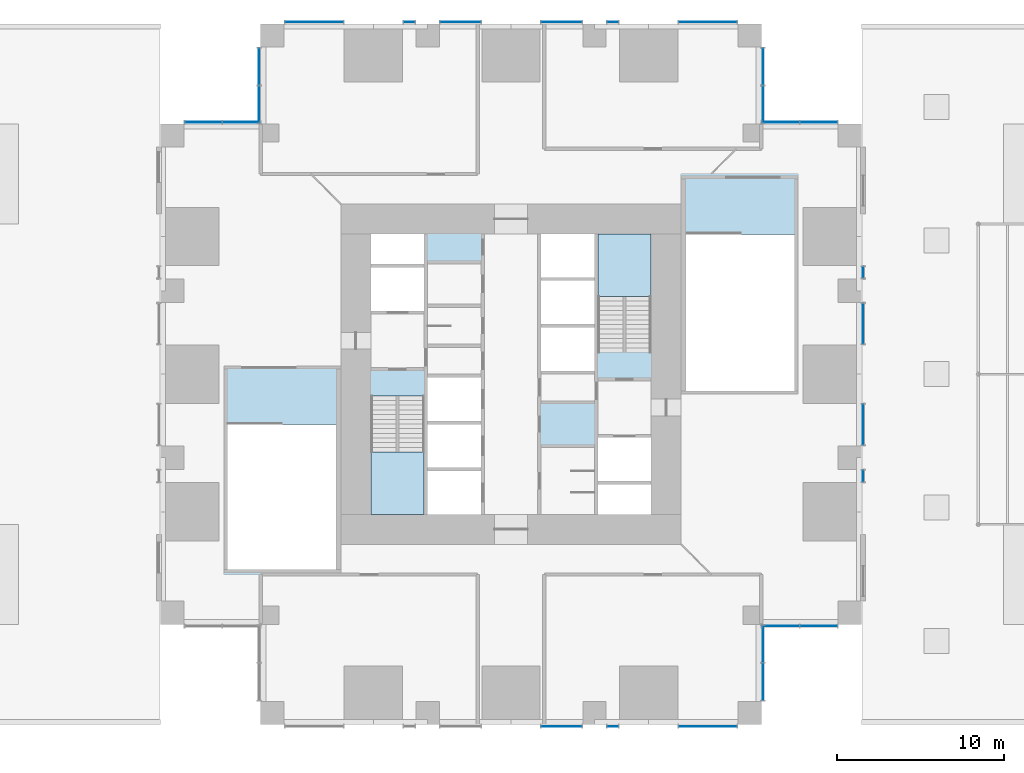
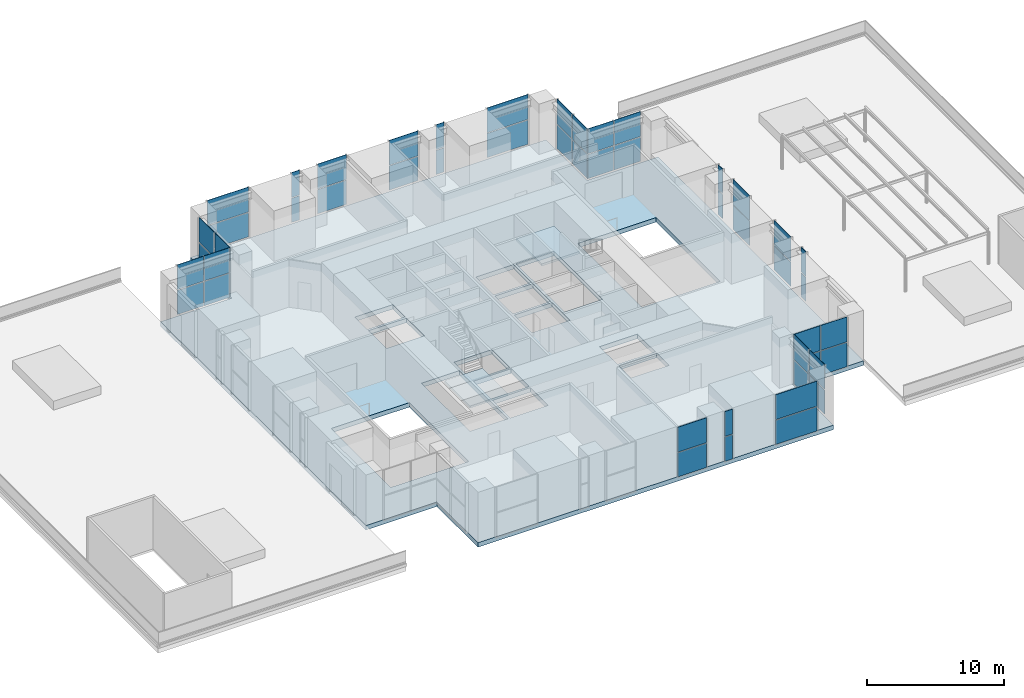
# One storey, part 8 of 14: 50 plates, 3 slabs, 21 elements without a shape of their own.
"""IFC4 building model written with IfcOpenShell, lengths in metres."""

from ifc_helpers import new_model, si_unit, direction, frame, origin, origin_2d, place, context, subcontext, project, spatial, polyline, rectangle, outline, extrude, material, layer, layer_set, type_object, element, aggregate, save


model = new_model("IFC4")

# Units and contexts
model_context = context("Model", 3, precision=1e-05, world=origin(), true_north=direction((0.0, 1.0)))
body_context = subcontext(model_context, "Body", "Model", "MODEL_VIEW")
ifc_project = project(units=[si_unit("LENGTHUNIT", "METRE"), si_unit("AREAUNIT", "SQUARE_METRE"), si_unit("VOLUMEUNIT", "CUBIC_METRE"), si_unit("PLANEANGLEUNIT", "RADIAN"), si_unit("MASSUNIT", "GRAM", prefix="KILO")], contexts=[model_context])

# Site, building, storey
site_placement = place(None, origin())
site = spatial("IfcSite", under=ifc_project, at=site_placement, CompositionType="ELEMENT")
building_placement = place(site_placement, origin())
building = spatial("IfcBuilding", under=site, at=building_placement, Name="Svetlomir Tower", CompositionType="ELEMENT")
storey_placement = place(building_placement, frame((0.0, 0.0, 18.0)))
storey = spatial("IfcBuildingStorey", under=building, at=storey_placement, Name="L03", CompositionType="ELEMENT", Elevation=18.0)

# Curtain wall, plates
ifc_material_1 = material(Name="Bronze anodised aluminium curtain wall", Category="aluminium")
curtain_wall_type = type_object("IfcCurtainWallType", Name="CURTAIN WALL CW2 SKY LOBBY", PredefinedType="NOTDEFINED", material=ifc_material_1)
curtain_wall_1_placement = place(storey_placement, origin())
curtain_wall_1 = element("IfcCurtainWall", 1, at=curtain_wall_1_placement, inside=storey, type_object=curtain_wall_type, Name="Curtain wall CW2 L03", PredefinedType="NOTDEFINED")
ifc_material_2 = material(Name="Tinted double glazed unit", Category="glass")
ifc_layer_1 = layer(ifc_material_2, 0.035888671875)
ifc_layer_set_1 = layer_set([ifc_layer_1], Name="Tinted double glazed unit")
plate_type = type_object("IfcPlateType", Name="CW2 GLAZED PANEL 36", PredefinedType="CURTAIN_PANEL", material=ifc_layer_set_1)
plate_1_placement = place(storey_placement, frame((24.02490234375, -0.10009765625, 0.06494140625), z_axis=(0.0, 0.0, 1.0), x_axis=(1.0, 0.0, 0.0)))
plate_1 = element("IfcPlate", 2, at=plate_1_placement, type_object=plate_type, Name="CW2 panel 1.1", PredefinedType="CURTAIN_PANEL", context=body_context, shape_type="SweptSolid", body=[
    extrude(rectangle(XDim=2.419921875, YDim=0.035888671875, at=origin_2d()), origin(), (0.0, 0.0, 1.0), 2.152587890625),
])
plate_2_placement = place(storey_placement, frame((24.02490234375, -0.10009765625, 2.28271484375), z_axis=(0.0, 0.0, 1.0), x_axis=(1.0, 0.0, 0.0)))
plate_2 = element("IfcPlate", 3, at=plate_2_placement, type_object=plate_type, Name="CW2 panel 1.2", PredefinedType="CURTAIN_PANEL", context=body_context, shape_type="SweptSolid", body=[
    extrude(rectangle(XDim=2.419921875, YDim=0.035888671875, at=origin_2d()), origin(), (0.0, 0.0, 1.0), 2.217529296875),
])
aggregate(curtain_wall_1, [plate_1, plate_2])

curtain_wall_2_placement = place(storey_placement, origin())
curtain_wall_2 = element("IfcCurtainWall", 4, at=curtain_wall_2_placement, inside=storey, type_object=curtain_wall_type, Name="Curtain wall CW2 L03", PredefinedType="NOTDEFINED")
plate_3_placement = place(storey_placement, frame((27.10009765625, -0.10009765625, 0.06494140625), z_axis=(0.0, 0.0, 1.0), x_axis=(1.0, 0.0, 0.0)))
plate_3 = element("IfcPlate", 5, at=plate_3_placement, type_object=plate_type, Name="CW2 panel 1.1", PredefinedType="CURTAIN_PANEL", context=body_context, shape_type="SweptSolid", body=[
    extrude(rectangle(XDim=0.669921875, YDim=0.035888671875, at=origin_2d()), origin(), (0.0, 0.0, 1.0), 2.152587890625),
])
plate_4_placement = place(storey_placement, frame((27.10009765625, -0.10009765625, 2.28271484375), z_axis=(0.0, 0.0, 1.0), x_axis=(1.0, 0.0, 0.0)))
plate_4 = element("IfcPlate", 6, at=plate_4_placement, type_object=plate_type, Name="CW2 panel 1.2", PredefinedType="CURTAIN_PANEL", context=body_context, shape_type="SweptSolid", body=[
    extrude(rectangle(XDim=0.669921875, YDim=0.035888671875, at=origin_2d()), origin(), (0.0, 0.0, 1.0), 2.217529296875),
])
aggregate(curtain_wall_2, [plate_3, plate_4])

curtain_wall_3_placement = place(storey_placement, origin())
curtain_wall_3 = element("IfcCurtainWall", 7, at=curtain_wall_3_placement, inside=storey, type_object=curtain_wall_type, Name="Curtain wall CW2 L03", PredefinedType="NOTDEFINED")
plate_5_placement = place(storey_placement, frame((32.800048828125, -0.10009765625, 0.06494140625), z_axis=(0.0, 0.0, 1.0), x_axis=(1.0, 0.0, 0.0)))
plate_5 = element("IfcPlate", 8, at=plate_5_placement, type_object=plate_type, Name="CW2 panel 1.1", PredefinedType="CURTAIN_PANEL", context=body_context, shape_type="SweptSolid", body=[
    extrude(rectangle(XDim=3.469970703125, YDim=0.035888671875, at=origin_2d()), origin(), (0.0, 0.0, 1.0), 2.152587890625),
])
plate_6_placement = place(storey_placement, frame((32.800048828125, -0.10009765625, 2.28271484375), z_axis=(0.0, 0.0, 1.0), x_axis=(1.0, 0.0, 0.0)))
plate_6 = element("IfcPlate", 9, at=plate_6_placement, type_object=plate_type, Name="CW2 panel 1.2", PredefinedType="CURTAIN_PANEL", context=body_context, shape_type="SweptSolid", body=[
    extrude(rectangle(XDim=3.469970703125, YDim=0.035888671875, at=origin_2d()), origin(), (0.0, 0.0, 1.0), 2.217529296875),
])
aggregate(curtain_wall_3, [plate_5, plate_6])

curtain_wall_4_placement = place(storey_placement, origin())
curtain_wall_4 = element("IfcCurtainWall", 10, at=curtain_wall_4_placement, inside=storey, type_object=curtain_wall_type, Name="Curtain wall CW2 L03", PredefinedType="NOTDEFINED")
plate_7_placement = place(storey_placement, frame((36.10009765625, 2.566162109375, 0.06494140625), z_axis=(0.0, 0.0, 1.0), x_axis=(0.0, 1.0, 0.0)))
plate_7 = element("IfcPlate", 11, at=plate_7_placement, type_object=plate_type, Name="CW2 panel 1.1", PredefinedType="CURTAIN_PANEL", context=body_context, shape_type="SweptSolid", body=[
    extrude(rectangle(XDim=2.202392578125, YDim=0.035888671875, at=origin_2d()), origin(), (0.0, 0.0, 1.0), 2.152587890625),
])
plate_8_placement = place(storey_placement, frame((36.10009765625, 2.566162109375, 2.28271484375), z_axis=(0.0, 0.0, 1.0), x_axis=(0.0, 1.0, 0.0)))
plate_8 = element("IfcPlate", 12, at=plate_8_placement, type_object=plate_type, Name="CW2 panel 1.2", PredefinedType="CURTAIN_PANEL", context=body_context, shape_type="SweptSolid", body=[
    extrude(rectangle(XDim=2.202392578125, YDim=0.035888671875, at=origin_2d()), origin(), (0.0, 0.0, 1.0), 2.217529296875),
])
plate_9_placement = place(storey_placement, frame((36.10009765625, 4.833740234375, 0.06494140625), z_axis=(0.0, 0.0, 1.0), x_axis=(0.0, 1.0, 0.0)))
plate_9 = element("IfcPlate", 13, at=plate_9_placement, type_object=plate_type, Name="CW2 panel 2.1", PredefinedType="CURTAIN_PANEL", context=body_context, shape_type="SweptSolid", body=[
    extrude(rectangle(XDim=2.202392578125, YDim=0.035888671875, at=origin_2d()), origin(), (0.0, 0.0, 1.0), 2.152587890625),
])
plate_10_placement = place(storey_placement, frame((36.10009765625, 4.833740234375, 2.28271484375), z_axis=(0.0, 0.0, 1.0), x_axis=(0.0, 1.0, 0.0)))
plate_10 = element("IfcPlate", 14, at=plate_10_placement, type_object=plate_type, Name="CW2 panel 2.2", PredefinedType="CURTAIN_PANEL", context=body_context, shape_type="SweptSolid", body=[
    extrude(rectangle(XDim=2.202392578125, YDim=0.035888671875, at=origin_2d()), origin(), (0.0, 0.0, 1.0), 2.217529296875),
])
aggregate(curtain_wall_4, [plate_7, plate_8, plate_9, plate_10])

curtain_wall_5_placement = place(storey_placement, origin())
curtain_wall_5 = element("IfcCurtainWall", 15, at=curtain_wall_5_placement, inside=storey, type_object=curtain_wall_type, Name="Curtain wall CW2 L03", PredefinedType="NOTDEFINED")
plate_11_placement = place(storey_placement, frame((37.166259765625, 5.89990234375, 0.06494140625), z_axis=(0.0, 0.0, 1.0), x_axis=(1.0, 0.0, 0.0)))
plate_11 = element("IfcPlate", 16, at=plate_11_placement, type_object=plate_type, Name="CW2 panel 1.1", PredefinedType="CURTAIN_PANEL", context=body_context, shape_type="SweptSolid", body=[
    extrude(rectangle(XDim=2.202392578125, YDim=0.035888671875, at=origin_2d()), origin(), (0.0, 0.0, 1.0), 2.152587890625),
])
plate_12_placement = place(storey_placement, frame((37.166259765625, 5.89990234375, 2.28271484375), z_axis=(0.0, 0.0, 1.0), x_axis=(1.0, 0.0, 0.0)))
plate_12 = element("IfcPlate", 17, at=plate_12_placement, type_object=plate_type, Name="CW2 panel 1.2", PredefinedType="CURTAIN_PANEL", context=body_context, shape_type="SweptSolid", body=[
    extrude(rectangle(XDim=2.202392578125, YDim=0.035888671875, at=origin_2d()), origin(), (0.0, 0.0, 1.0), 2.217529296875),
])
plate_13_placement = place(storey_placement, frame((39.433837890625, 5.89990234375, 0.06494140625), z_axis=(0.0, 0.0, 1.0), x_axis=(1.0, 0.0, 0.0)))
plate_13 = element("IfcPlate", 18, at=plate_13_placement, type_object=plate_type, Name="CW2 panel 2.1", PredefinedType="CURTAIN_PANEL", context=body_context, shape_type="SweptSolid", body=[
    extrude(rectangle(XDim=2.202392578125, YDim=0.035888671875, at=origin_2d()), origin(), (0.0, 0.0, 1.0), 2.152587890625),
])
plate_14_placement = place(storey_placement, frame((39.433837890625, 5.89990234375, 2.28271484375), z_axis=(0.0, 0.0, 1.0), x_axis=(1.0, 0.0, 0.0)))
plate_14 = element("IfcPlate", 19, at=plate_14_placement, type_object=plate_type, Name="CW2 panel 2.2", PredefinedType="CURTAIN_PANEL", context=body_context, shape_type="SweptSolid", body=[
    extrude(rectangle(XDim=2.202392578125, YDim=0.035888671875, at=origin_2d()), origin(), (0.0, 0.0, 1.0), 2.217529296875),
])
aggregate(curtain_wall_5, [plate_11, plate_12, plate_13, plate_14])

curtain_wall_6_placement = place(storey_placement, origin())
curtain_wall_6 = element("IfcCurtainWall", 20, at=curtain_wall_6_placement, inside=storey, type_object=curtain_wall_type, Name="Curtain wall CW2 L03", PredefinedType="NOTDEFINED")
plate_15_placement = place(storey_placement, frame((42.10009765625, 14.89990234375, 0.06494140625), z_axis=(0.0, 0.0, 1.0), x_axis=(0.0, 1.0, 0.0)))
plate_15 = element("IfcPlate", 21, at=plate_15_placement, type_object=plate_type, Name="CW2 panel 1.1", PredefinedType="CURTAIN_PANEL", context=body_context, shape_type="SweptSolid", body=[
    extrude(rectangle(XDim=0.669921875, YDim=0.035888671875, at=origin_2d()), origin(), (0.0, 0.0, 1.0), 2.152587890625),
])
plate_16_placement = place(storey_placement, frame((42.10009765625, 14.89990234375, 2.28271484375), z_axis=(0.0, 0.0, 1.0), x_axis=(0.0, 1.0, 0.0)))
plate_16 = element("IfcPlate", 22, at=plate_16_placement, type_object=plate_type, Name="CW2 panel 1.2", PredefinedType="CURTAIN_PANEL", context=body_context, shape_type="SweptSolid", body=[
    extrude(rectangle(XDim=0.669921875, YDim=0.035888671875, at=origin_2d()), origin(), (0.0, 0.0, 1.0), 2.217529296875),
])
aggregate(curtain_wall_6, [plate_15, plate_16])

curtain_wall_7_placement = place(storey_placement, origin())
curtain_wall_7 = element("IfcCurtainWall", 23, at=curtain_wall_7_placement, inside=storey, type_object=curtain_wall_type, Name="Curtain wall CW2 L03", PredefinedType="NOTDEFINED")
plate_17_placement = place(storey_placement, frame((42.10009765625, 17.97509765625, 0.06494140625), z_axis=(0.0, 0.0, 1.0), x_axis=(0.0, 1.0, 0.0)))
plate_17 = element("IfcPlate", 24, at=plate_17_placement, type_object=plate_type, Name="CW2 panel 1.1", PredefinedType="CURTAIN_PANEL", context=body_context, shape_type="SweptSolid", body=[
    extrude(rectangle(XDim=2.419921875, YDim=0.035888671875, at=origin_2d()), origin(), (0.0, 0.0, 1.0), 2.152587890625),
])
plate_18_placement = place(storey_placement, frame((42.10009765625, 17.97509765625, 2.28271484375), z_axis=(0.0, 0.0, 1.0), x_axis=(0.0, 1.0, 0.0)))
plate_18 = element("IfcPlate", 25, at=plate_18_placement, type_object=plate_type, Name="CW2 panel 1.2", PredefinedType="CURTAIN_PANEL", context=body_context, shape_type="SweptSolid", body=[
    extrude(rectangle(XDim=2.419921875, YDim=0.035888671875, at=origin_2d()), origin(), (0.0, 0.0, 1.0), 2.217529296875),
])
aggregate(curtain_wall_7, [plate_17, plate_18])

curtain_wall_8_placement = place(storey_placement, origin())
curtain_wall_8 = element("IfcCurtainWall", 26, at=curtain_wall_8_placement, inside=storey, type_object=curtain_wall_type, Name="Curtain wall CW2 L03", PredefinedType="NOTDEFINED")
plate_19_placement = place(storey_placement, frame((42.10009765625, 24.02490234375, 0.06494140625), z_axis=(0.0, 0.0, 1.0), x_axis=(0.0, 1.0, 0.0)))
plate_19 = element("IfcPlate", 27, at=plate_19_placement, type_object=plate_type, Name="CW2 panel 1.1", PredefinedType="CURTAIN_PANEL", context=body_context, shape_type="SweptSolid", body=[
    extrude(rectangle(XDim=2.419921875, YDim=0.035888671875, at=origin_2d()), origin(), (0.0, 0.0, 1.0), 2.152587890625),
])
plate_20_placement = place(storey_placement, frame((42.10009765625, 24.02490234375, 2.28271484375), z_axis=(0.0, 0.0, 1.0), x_axis=(0.0, 1.0, 0.0)))
plate_20 = element("IfcPlate", 28, at=plate_20_placement, type_object=plate_type, Name="CW2 panel 1.2", PredefinedType="CURTAIN_PANEL", context=body_context, shape_type="SweptSolid", body=[
    extrude(rectangle(XDim=2.419921875, YDim=0.035888671875, at=origin_2d()), origin(), (0.0, 0.0, 1.0), 2.217529296875),
])
aggregate(curtain_wall_8, [plate_19, plate_20])

curtain_wall_9_placement = place(storey_placement, origin())
curtain_wall_9 = element("IfcCurtainWall", 29, at=curtain_wall_9_placement, inside=storey, type_object=curtain_wall_type, Name="Curtain wall CW2 L03", PredefinedType="NOTDEFINED")
plate_21_placement = place(storey_placement, frame((42.10009765625, 27.10009765625, 0.06494140625), z_axis=(0.0, 0.0, 1.0), x_axis=(0.0, 1.0, 0.0)))
plate_21 = element("IfcPlate", 30, at=plate_21_placement, type_object=plate_type, Name="CW2 panel 1.1", PredefinedType="CURTAIN_PANEL", context=body_context, shape_type="SweptSolid", body=[
    extrude(rectangle(XDim=0.669921875, YDim=0.035888671875, at=origin_2d()), origin(), (0.0, 0.0, 1.0), 2.152587890625),
])
plate_22_placement = place(storey_placement, frame((42.10009765625, 27.10009765625, 2.28271484375), z_axis=(0.0, 0.0, 1.0), x_axis=(0.0, 1.0, 0.0)))
plate_22 = element("IfcPlate", 31, at=plate_22_placement, type_object=plate_type, Name="CW2 panel 1.2", PredefinedType="CURTAIN_PANEL", context=body_context, shape_type="SweptSolid", body=[
    extrude(rectangle(XDim=0.669921875, YDim=0.035888671875, at=origin_2d()), origin(), (0.0, 0.0, 1.0), 2.217529296875),
])
aggregate(curtain_wall_9, [plate_21, plate_22])

curtain_wall_10_placement = place(storey_placement, origin())
curtain_wall_10 = element("IfcCurtainWall", 32, at=curtain_wall_10_placement, inside=storey, type_object=curtain_wall_type, Name="Curtain wall CW2 L03", PredefinedType="NOTDEFINED")
plate_23_placement = place(storey_placement, frame((39.433837890625, 36.10009765625, 0.06494140625), z_axis=(0.0, 0.0, 1.0), x_axis=(-1.0, 0.0, 0.0)))
plate_23 = element("IfcPlate", 33, at=plate_23_placement, type_object=plate_type, Name="CW2 panel 1.1", PredefinedType="CURTAIN_PANEL", context=body_context, shape_type="SweptSolid", body=[
    extrude(rectangle(XDim=2.202392578125, YDim=0.035888671875, at=origin_2d()), origin(), (0.0, 0.0, 1.0), 2.152587890625),
])
plate_24_placement = place(storey_placement, frame((39.433837890625, 36.10009765625, 2.28271484375), z_axis=(0.0, 0.0, 1.0), x_axis=(-1.0, 0.0, 0.0)))
plate_24 = element("IfcPlate", 34, at=plate_24_placement, type_object=plate_type, Name="CW2 panel 1.2", PredefinedType="CURTAIN_PANEL", context=body_context, shape_type="SweptSolid", body=[
    extrude(rectangle(XDim=2.202392578125, YDim=0.035888671875, at=origin_2d()), origin(), (0.0, 0.0, 1.0), 2.217529296875),
])
plate_25_placement = place(storey_placement, frame((37.166259765625, 36.10009765625, 0.06494140625), z_axis=(0.0, 0.0, 1.0), x_axis=(-1.0, 0.0, 0.0)))
plate_25 = element("IfcPlate", 35, at=plate_25_placement, type_object=plate_type, Name="CW2 panel 2.1", PredefinedType="CURTAIN_PANEL", context=body_context, shape_type="SweptSolid", body=[
    extrude(rectangle(XDim=2.202392578125, YDim=0.035888671875, at=origin_2d()), origin(), (0.0, 0.0, 1.0), 2.152587890625),
])
plate_26_placement = place(storey_placement, frame((37.166259765625, 36.10009765625, 2.28271484375), z_axis=(0.0, 0.0, 1.0), x_axis=(-1.0, 0.0, 0.0)))
plate_26 = element("IfcPlate", 36, at=plate_26_placement, type_object=plate_type, Name="CW2 panel 2.2", PredefinedType="CURTAIN_PANEL", context=body_context, shape_type="SweptSolid", body=[
    extrude(rectangle(XDim=2.202392578125, YDim=0.035888671875, at=origin_2d()), origin(), (0.0, 0.0, 1.0), 2.217529296875),
])
aggregate(curtain_wall_10, [plate_23, plate_24, plate_25, plate_26])

curtain_wall_11_placement = place(storey_placement, origin())
curtain_wall_11 = element("IfcCurtainWall", 37, at=curtain_wall_11_placement, inside=storey, type_object=curtain_wall_type, Name="Curtain wall CW2 L03", PredefinedType="NOTDEFINED")
plate_27_placement = place(storey_placement, frame((36.10009765625, 37.166259765625, 0.06494140625), z_axis=(0.0, 0.0, 1.0), x_axis=(0.0, 1.0, 0.0)))
plate_27 = element("IfcPlate", 38, at=plate_27_placement, type_object=plate_type, Name="CW2 panel 1.1", PredefinedType="CURTAIN_PANEL", context=body_context, shape_type="SweptSolid", body=[
    extrude(rectangle(XDim=2.202392578125, YDim=0.035888671875, at=origin_2d()), origin(), (0.0, 0.0, 1.0), 2.152587890625),
])
plate_28_placement = place(storey_placement, frame((36.10009765625, 37.166259765625, 2.28271484375), z_axis=(0.0, 0.0, 1.0), x_axis=(0.0, 1.0, 0.0)))
plate_28 = element("IfcPlate", 39, at=plate_28_placement, type_object=plate_type, Name="CW2 panel 1.2", PredefinedType="CURTAIN_PANEL", context=body_context, shape_type="SweptSolid", body=[
    extrude(rectangle(XDim=2.202392578125, YDim=0.035888671875, at=origin_2d()), origin(), (0.0, 0.0, 1.0), 2.217529296875),
])
plate_29_placement = place(storey_placement, frame((36.10009765625, 39.433837890625, 0.06494140625), z_axis=(0.0, 0.0, 1.0), x_axis=(0.0, 1.0, 0.0)))
plate_29 = element("IfcPlate", 40, at=plate_29_placement, type_object=plate_type, Name="CW2 panel 2.1", PredefinedType="CURTAIN_PANEL", context=body_context, shape_type="SweptSolid", body=[
    extrude(rectangle(XDim=2.202392578125, YDim=0.035888671875, at=origin_2d()), origin(), (0.0, 0.0, 1.0), 2.152587890625),
])
plate_30_placement = place(storey_placement, frame((36.10009765625, 39.433837890625, 2.28271484375), z_axis=(0.0, 0.0, 1.0), x_axis=(0.0, 1.0, 0.0)))
plate_30 = element("IfcPlate", 41, at=plate_30_placement, type_object=plate_type, Name="CW2 panel 2.2", PredefinedType="CURTAIN_PANEL", context=body_context, shape_type="SweptSolid", body=[
    extrude(rectangle(XDim=2.202392578125, YDim=0.035888671875, at=origin_2d()), origin(), (0.0, 0.0, 1.0), 2.217529296875),
])
aggregate(curtain_wall_11, [plate_27, plate_28, plate_29, plate_30])

curtain_wall_12_placement = place(storey_placement, origin())
curtain_wall_12 = element("IfcCurtainWall", 42, at=curtain_wall_12_placement, inside=storey, type_object=curtain_wall_type, Name="Curtain wall CW2 L03", PredefinedType="NOTDEFINED")
plate_31_placement = place(storey_placement, frame((32.800048828125, 42.10009765625, 0.06494140625), z_axis=(0.0, 0.0, 1.0), x_axis=(-1.0, 0.0, 0.0)))
plate_31 = element("IfcPlate", 43, at=plate_31_placement, type_object=plate_type, Name="CW2 panel 1.1", PredefinedType="CURTAIN_PANEL", context=body_context, shape_type="SweptSolid", body=[
    extrude(rectangle(XDim=3.469970703125, YDim=0.035888671875, at=origin_2d()), origin(), (0.0, 0.0, 1.0), 2.152587890625),
])
plate_32_placement = place(storey_placement, frame((32.800048828125, 42.10009765625, 2.28271484375), z_axis=(0.0, 0.0, 1.0), x_axis=(-1.0, 0.0, 0.0)))
plate_32 = element("IfcPlate", 44, at=plate_32_placement, type_object=plate_type, Name="CW2 panel 1.2", PredefinedType="CURTAIN_PANEL", context=body_context, shape_type="SweptSolid", body=[
    extrude(rectangle(XDim=3.469970703125, YDim=0.035888671875, at=origin_2d()), origin(), (0.0, 0.0, 1.0), 2.217529296875),
])
aggregate(curtain_wall_12, [plate_31, plate_32])

curtain_wall_13_placement = place(storey_placement, origin())
curtain_wall_13 = element("IfcCurtainWall", 45, at=curtain_wall_13_placement, inside=storey, type_object=curtain_wall_type, Name="Curtain wall CW2 L03", PredefinedType="NOTDEFINED")
plate_33_placement = place(storey_placement, frame((27.10009765625, 42.10009765625, 0.06494140625), z_axis=(0.0, 0.0, 1.0), x_axis=(-1.0, 0.0, 0.0)))
plate_33 = element("IfcPlate", 46, at=plate_33_placement, type_object=plate_type, Name="CW2 panel 1.1", PredefinedType="CURTAIN_PANEL", context=body_context, shape_type="SweptSolid", body=[
    extrude(rectangle(XDim=0.669921875, YDim=0.035888671875, at=origin_2d()), origin(), (0.0, 0.0, 1.0), 2.152587890625),
])
plate_34_placement = place(storey_placement, frame((27.10009765625, 42.10009765625, 2.28271484375), z_axis=(0.0, 0.0, 1.0), x_axis=(-1.0, 0.0, 0.0)))
plate_34 = element("IfcPlate", 47, at=plate_34_placement, type_object=plate_type, Name="CW2 panel 1.2", PredefinedType="CURTAIN_PANEL", context=body_context, shape_type="SweptSolid", body=[
    extrude(rectangle(XDim=0.669921875, YDim=0.035888671875, at=origin_2d()), origin(), (0.0, 0.0, 1.0), 2.217529296875),
])
aggregate(curtain_wall_13, [plate_33, plate_34])

curtain_wall_14_placement = place(storey_placement, origin())
curtain_wall_14 = element("IfcCurtainWall", 48, at=curtain_wall_14_placement, inside=storey, type_object=curtain_wall_type, Name="Curtain wall CW2 L03", PredefinedType="NOTDEFINED")
plate_35_placement = place(storey_placement, frame((24.02490234375, 42.10009765625, 0.06494140625), z_axis=(0.0, 0.0, 1.0), x_axis=(-1.0, 0.0, 0.0)))
plate_35 = element("IfcPlate", 49, at=plate_35_placement, type_object=plate_type, Name="CW2 panel 1.1", PredefinedType="CURTAIN_PANEL", context=body_context, shape_type="SweptSolid", body=[
    extrude(rectangle(XDim=2.419921875, YDim=0.035888671875, at=origin_2d()), origin(), (0.0, 0.0, 1.0), 2.152587890625),
])
plate_36_placement = place(storey_placement, frame((24.02490234375, 42.10009765625, 2.28271484375), z_axis=(0.0, 0.0, 1.0), x_axis=(-1.0, 0.0, 0.0)))
plate_36 = element("IfcPlate", 50, at=plate_36_placement, type_object=plate_type, Name="CW2 panel 1.2", PredefinedType="CURTAIN_PANEL", context=body_context, shape_type="SweptSolid", body=[
    extrude(rectangle(XDim=2.419921875, YDim=0.035888671875, at=origin_2d()), origin(), (0.0, 0.0, 1.0), 2.217529296875),
])
aggregate(curtain_wall_14, [plate_35, plate_36])

curtain_wall_15_placement = place(storey_placement, origin())
curtain_wall_15 = element("IfcCurtainWall", 51, at=curtain_wall_15_placement, inside=storey, type_object=curtain_wall_type, Name="Curtain wall CW2 L03", PredefinedType="NOTDEFINED")
plate_37_placement = place(storey_placement, frame((17.97509765625, 42.10009765625, 0.06494140625), z_axis=(0.0, 0.0, 1.0), x_axis=(-1.0, 0.0, 0.0)))
plate_37 = element("IfcPlate", 52, at=plate_37_placement, type_object=plate_type, Name="CW2 panel 1.1", PredefinedType="CURTAIN_PANEL", context=body_context, shape_type="SweptSolid", body=[
    extrude(rectangle(XDim=2.419921875, YDim=0.035888671875, at=origin_2d()), origin(), (0.0, 0.0, 1.0), 2.152587890625),
])
plate_38_placement = place(storey_placement, frame((17.97509765625, 42.10009765625, 2.28271484375), z_axis=(0.0, 0.0, 1.0), x_axis=(-1.0, 0.0, 0.0)))
plate_38 = element("IfcPlate", 53, at=plate_38_placement, type_object=plate_type, Name="CW2 panel 1.2", PredefinedType="CURTAIN_PANEL", context=body_context, shape_type="SweptSolid", body=[
    extrude(rectangle(XDim=2.419921875, YDim=0.035888671875, at=origin_2d()), origin(), (0.0, 0.0, 1.0), 2.217529296875),
])
aggregate(curtain_wall_15, [plate_37, plate_38])

curtain_wall_16_placement = place(storey_placement, origin())
curtain_wall_16 = element("IfcCurtainWall", 54, at=curtain_wall_16_placement, inside=storey, type_object=curtain_wall_type, Name="Curtain wall CW2 L03", PredefinedType="NOTDEFINED")
plate_39_placement = place(storey_placement, frame((14.89990234375, 42.10009765625, 0.06494140625), z_axis=(0.0, 0.0, 1.0), x_axis=(-1.0, 0.0, 0.0)))
plate_39 = element("IfcPlate", 55, at=plate_39_placement, type_object=plate_type, Name="CW2 panel 1.1", PredefinedType="CURTAIN_PANEL", context=body_context, shape_type="SweptSolid", body=[
    extrude(rectangle(XDim=0.669921875, YDim=0.035888671875, at=origin_2d()), origin(), (0.0, 0.0, 1.0), 2.152587890625),
])
plate_40_placement = place(storey_placement, frame((14.89990234375, 42.10009765625, 2.28271484375), z_axis=(0.0, 0.0, 1.0), x_axis=(-1.0, 0.0, 0.0)))
plate_40 = element("IfcPlate", 56, at=plate_40_placement, type_object=plate_type, Name="CW2 panel 1.2", PredefinedType="CURTAIN_PANEL", context=body_context, shape_type="SweptSolid", body=[
    extrude(rectangle(XDim=0.669921875, YDim=0.035888671875, at=origin_2d()), origin(), (0.0, 0.0, 1.0), 2.217529296875),
])
aggregate(curtain_wall_16, [plate_39, plate_40])

curtain_wall_17_placement = place(storey_placement, origin())
curtain_wall_17 = element("IfcCurtainWall", 57, at=curtain_wall_17_placement, inside=storey, type_object=curtain_wall_type, Name="Curtain wall CW2 L03", PredefinedType="NOTDEFINED")
plate_41_placement = place(storey_placement, frame((9.199951171875, 42.10009765625, 0.06494140625), z_axis=(0.0, 0.0, 1.0), x_axis=(-1.0, 0.0, 0.0)))
plate_41 = element("IfcPlate", 58, at=plate_41_placement, type_object=plate_type, Name="CW2 panel 1.1", PredefinedType="CURTAIN_PANEL", context=body_context, shape_type="SweptSolid", body=[
    extrude(rectangle(XDim=3.469970703125, YDim=0.035888671875, at=origin_2d()), origin(), (0.0, 0.0, 1.0), 2.152587890625),
])
plate_42_placement = place(storey_placement, frame((9.199951171875, 42.10009765625, 2.28271484375), z_axis=(0.0, 0.0, 1.0), x_axis=(-1.0, 0.0, 0.0)))
plate_42 = element("IfcPlate", 59, at=plate_42_placement, type_object=plate_type, Name="CW2 panel 1.2", PredefinedType="CURTAIN_PANEL", context=body_context, shape_type="SweptSolid", body=[
    extrude(rectangle(XDim=3.469970703125, YDim=0.035888671875, at=origin_2d()), origin(), (0.0, 0.0, 1.0), 2.217529296875),
])
aggregate(curtain_wall_17, [plate_41, plate_42])

curtain_wall_18_placement = place(storey_placement, origin())
curtain_wall_18 = element("IfcCurtainWall", 60, at=curtain_wall_18_placement, inside=storey, type_object=curtain_wall_type, Name="Curtain wall CW2 L03", PredefinedType="NOTDEFINED")
plate_43_placement = place(storey_placement, frame((5.89990234375, 39.433837890625, 0.06494140625), z_axis=(0.0, 0.0, 1.0), x_axis=(0.0, -1.0, 0.0)))
plate_43 = element("IfcPlate", 61, at=plate_43_placement, type_object=plate_type, Name="CW2 panel 1.1", PredefinedType="CURTAIN_PANEL", context=body_context, shape_type="SweptSolid", body=[
    extrude(rectangle(XDim=2.202392578125, YDim=0.035888671875, at=origin_2d()), origin(), (0.0, 0.0, 1.0), 2.152587890625),
])
plate_44_placement = place(storey_placement, frame((5.89990234375, 39.433837890625, 2.28271484375), z_axis=(0.0, 0.0, 1.0), x_axis=(0.0, -1.0, 0.0)))
plate_44 = element("IfcPlate", 62, at=plate_44_placement, type_object=plate_type, Name="CW2 panel 1.2", PredefinedType="CURTAIN_PANEL", context=body_context, shape_type="SweptSolid", body=[
    extrude(rectangle(XDim=2.202392578125, YDim=0.035888671875, at=origin_2d()), origin(), (0.0, 0.0, 1.0), 2.217529296875),
])
plate_45_placement = place(storey_placement, frame((5.89990234375, 37.166259765625, 0.06494140625), z_axis=(0.0, 0.0, 1.0), x_axis=(0.0, -1.0, 0.0)))
plate_45 = element("IfcPlate", 63, at=plate_45_placement, type_object=plate_type, Name="CW2 panel 2.1", PredefinedType="CURTAIN_PANEL", context=body_context, shape_type="SweptSolid", body=[
    extrude(rectangle(XDim=2.202392578125, YDim=0.035888671875, at=origin_2d()), origin(), (0.0, 0.0, 1.0), 2.152587890625),
])
plate_46_placement = place(storey_placement, frame((5.89990234375, 37.166259765625, 2.28271484375), z_axis=(0.0, 0.0, 1.0), x_axis=(0.0, -1.0, 0.0)))
plate_46 = element("IfcPlate", 64, at=plate_46_placement, type_object=plate_type, Name="CW2 panel 2.2", PredefinedType="CURTAIN_PANEL", context=body_context, shape_type="SweptSolid", body=[
    extrude(rectangle(XDim=2.202392578125, YDim=0.035888671875, at=origin_2d()), origin(), (0.0, 0.0, 1.0), 2.217529296875),
])
aggregate(curtain_wall_18, [plate_43, plate_44, plate_45, plate_46])

curtain_wall_19_placement = place(storey_placement, origin())
curtain_wall_19 = element("IfcCurtainWall", 65, at=curtain_wall_19_placement, inside=storey, type_object=curtain_wall_type, Name="Curtain wall CW2 L03", PredefinedType="NOTDEFINED")
plate_47_placement = place(storey_placement, frame((4.833740234375, 36.10009765625, 0.06494140625), z_axis=(0.0, 0.0, 1.0), x_axis=(-1.0, 0.0, 0.0)))
plate_47 = element("IfcPlate", 66, at=plate_47_placement, type_object=plate_type, Name="CW2 panel 1.1", PredefinedType="CURTAIN_PANEL", context=body_context, shape_type="SweptSolid", body=[
    extrude(rectangle(XDim=2.202392578125, YDim=0.035888671875, at=origin_2d()), origin(), (0.0, 0.0, 1.0), 2.152587890625),
])
plate_48_placement = place(storey_placement, frame((4.833740234375, 36.10009765625, 2.28271484375), z_axis=(0.0, 0.0, 1.0), x_axis=(-1.0, 0.0, 0.0)))
plate_48 = element("IfcPlate", 67, at=plate_48_placement, type_object=plate_type, Name="CW2 panel 1.2", PredefinedType="CURTAIN_PANEL", context=body_context, shape_type="SweptSolid", body=[
    extrude(rectangle(XDim=2.202392578125, YDim=0.035888671875, at=origin_2d()), origin(), (0.0, 0.0, 1.0), 2.217529296875),
])
plate_49_placement = place(storey_placement, frame((2.566162109375, 36.10009765625, 0.06494140625), z_axis=(0.0, 0.0, 1.0), x_axis=(-1.0, 0.0, 0.0)))
plate_49 = element("IfcPlate", 68, at=plate_49_placement, type_object=plate_type, Name="CW2 panel 2.1", PredefinedType="CURTAIN_PANEL", context=body_context, shape_type="SweptSolid", body=[
    extrude(rectangle(XDim=2.202392578125, YDim=0.035888671875, at=origin_2d()), origin(), (0.0, 0.0, 1.0), 2.152587890625),
])
plate_50_placement = place(storey_placement, frame((2.566162109375, 36.10009765625, 2.28271484375), z_axis=(0.0, 0.0, 1.0), x_axis=(-1.0, 0.0, 0.0)))
plate_50 = element("IfcPlate", 69, at=plate_50_placement, type_object=plate_type, Name="CW2 panel 2.2", PredefinedType="CURTAIN_PANEL", context=body_context, shape_type="SweptSolid", body=[
    extrude(rectangle(XDim=2.202392578125, YDim=0.035888671875, at=origin_2d()), origin(), (0.0, 0.0, 1.0), 2.217529296875),
])
aggregate(curtain_wall_19, [plate_47, plate_48, plate_49, plate_50])

# Slab
ifc_material_3 = material(Name="Concrete C60/75", Category="concrete")
ifc_layer_2 = layer(ifc_material_3, 0.39990234375)
ifc_layer_set_2 = layer_set([ifc_layer_2], Name="Concrete C60/75")
slab_type_1 = type_object("IfcSlabType", Name="FLOOR SLAB 400", PredefinedType="FLOOR", material=ifc_layer_set_2)
slab_1_placement = place(storey_placement, frame((0.0, 0.0, -0.39990234375)))
element("IfcSlab", 70, at=slab_1_placement, inside=storey, type_object=slab_type_1, Name="L03 floor slab", PredefinedType="FLOOR", context=body_context, shape_type="SweptSolid", body=[
    extrude(outline(polyline([(6.0, 0.0), (36.0, 0.0), (36.0, 6.0), (42.0, 6.0), (42.0, 36.0), (36.0, 36.0), (36.0, 42.0), (6.0, 42.0), (6.0, 36.0), (0.0, 36.0), (0.0, 6.0), (6.0, 6.0), (6.0, 0.0)]), holes=[polyline([(12.60009765625, 24.800048828125), (15.800048828125, 24.800048828125), (15.800048828125, 27.39990234375), (12.60009765625, 27.39990234375), (12.60009765625, 24.800048828125)]), polyline([(26.199951171875, 14.60009765625), (29.39990234375, 14.60009765625), (29.39990234375, 17.199951171875), (26.199951171875, 17.199951171875), (26.199951171875, 14.60009765625)]), polyline([(16.0, 12.60009765625), (19.199951171875, 12.60009765625), (19.199951171875, 15.199951171875), (16.0, 15.199951171875), (16.0, 12.60009765625)]), polyline([(16.0, 15.39990234375), (19.199951171875, 15.39990234375), (19.199951171875, 18.0), (16.0, 18.0), (16.0, 15.39990234375)]), polyline([(16.0, 18.199951171875), (19.199951171875, 18.199951171875), (19.199951171875, 20.800048828125), (16.0, 20.800048828125), (16.0, 18.199951171875)]), polyline([(22.800048828125, 21.199951171875), (26.0, 21.199951171875), (26.0, 23.800048828125), (22.800048828125, 23.800048828125), (22.800048828125, 21.199951171875)]), polyline([(22.800048828125, 24.0), (26.0, 24.0), (26.0, 26.60009765625), (22.800048828125, 26.60009765625), (22.800048828125, 24.0)]), polyline([(22.800048828125, 26.800048828125), (26.0, 26.800048828125), (26.0, 29.39990234375), (22.800048828125, 29.39990234375), (22.800048828125, 26.800048828125)]), polyline([(12.60009765625, 27.60009765625), (15.800048828125, 27.60009765625), (15.800048828125, 29.39990234375), (12.60009765625, 29.39990234375), (12.60009765625, 27.60009765625)]), polyline([(26.199951171875, 12.60009765625), (29.39990234375, 12.60009765625), (29.39990234375, 14.39990234375), (26.199951171875, 14.39990234375), (26.199951171875, 12.60009765625)]), polyline([(12.60009765625, 12.60009765625), (15.800048828125, 12.60009765625), (15.800048828125, 19.679931640625), (12.60009765625, 19.679931640625), (12.60009765625, 12.60009765625)]), polyline([(26.199951171875, 22.320068359375), (29.39990234375, 22.320068359375), (29.39990234375, 29.39990234375), (26.199951171875, 29.39990234375), (26.199951171875, 22.320068359375)]), polyline([(4.0, 9.300048828125), (10.60009765625, 9.300048828125), (10.60009765625, 17.97998046875), (4.0, 17.97998046875), (4.0, 9.300048828125)]), polyline([(31.39990234375, 20.0), (38.0, 20.0), (38.0, 29.3798828125), (31.39990234375, 29.3798828125), (31.39990234375, 20.0)])]), origin(), (0.0, 0.0, 1.0), 0.39990234375),
])

# Stair, slab
ifc_material_4 = material(Name="Concrete C60/75", Category="concrete")
stair_type = type_object("IfcStairType", Name="EXIT STAIR 3200 RISE 4500", PredefinedType="HALF_TURN_STAIR", material=ifc_material_4)
stair_1_placement = place(storey_placement, origin())
stair_1 = element("IfcStair", 71, at=stair_1_placement, inside=storey, type_object=stair_type, Name="Stair S1 L03 to L04", PredefinedType="HALF_TURN_STAIR")
ifc_material_5 = material(Name="Concrete C60/75", Category="concrete")
ifc_layer_3 = layer(ifc_material_5, 0.199951171875)
ifc_layer_set_3 = layer_set([ifc_layer_3], Name="Concrete C60/75")
slab_type_2 = type_object("IfcSlabType", Name="STAIR LANDING 200", PredefinedType="LANDING", material=ifc_layer_set_3)
slab_2_placement = place(storey_placement, frame((0.0, 0.0, 2.050048828125)))
slab_2 = element("IfcSlab", 72, at=slab_2_placement, type_object=slab_type_2, Name="S1 landing 1", PredefinedType="LANDING", context=body_context, shape_type="SweptSolid", body=[
    extrude(outline(polyline([(12.60009765625, 12.60009765625), (15.800048828125, 12.60009765625), (15.800048828125, 16.340087890625), (12.60009765625, 16.340087890625), (12.60009765625, 12.60009765625)])), origin(), (0.0, 0.0, 1.0), 0.199951171875),
])
aggregate(stair_1, [slab_2])

stair_2_placement = place(storey_placement, origin())
stair_2 = element("IfcStair", 73, at=stair_2_placement, inside=storey, type_object=stair_type, Name="Stair S2 L03 to L04", PredefinedType="HALF_TURN_STAIR")
slab_3_placement = place(storey_placement, frame((0.0, 0.0, 2.050048828125)))
slab_3 = element("IfcSlab", 74, at=slab_3_placement, type_object=slab_type_2, Name="S2 landing 1", PredefinedType="LANDING", context=body_context, shape_type="SweptSolid", body=[
    extrude(outline(polyline([(26.199951171875, 25.659912109375), (29.39990234375, 25.659912109375), (29.39990234375, 29.39990234375), (26.199951171875, 29.39990234375), (26.199951171875, 25.659912109375)])), origin(), (0.0, 0.0, 1.0), 0.199951171875),
])
aggregate(stair_2, [slab_3])

save(model, "model.ifc")
